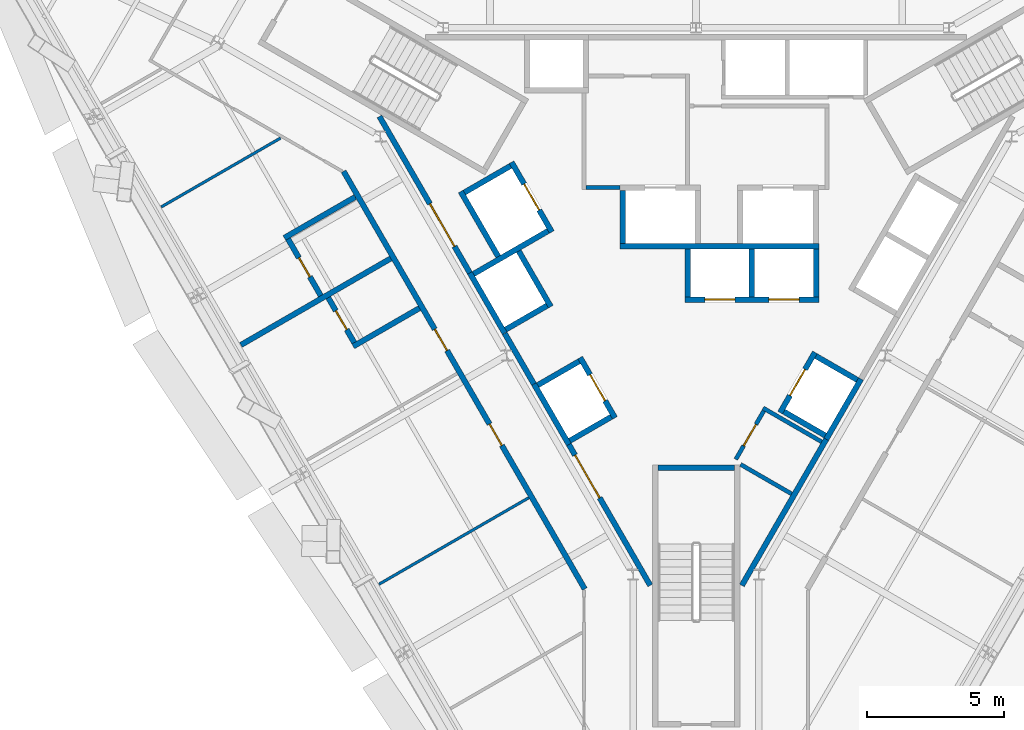
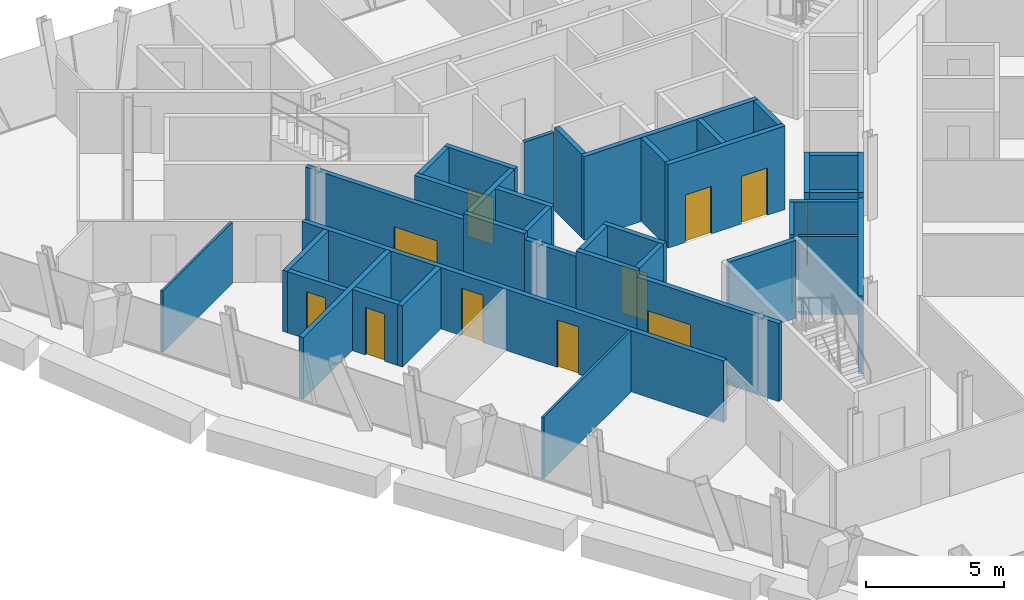
# One storey, part 6 of 11: 38 walls, 12 doors, 12 openings.
"""IFC4 building model written with IfcOpenShell, lengths in metres."""

from ifc_helpers import new_model, si_unit, direction, frame, frame_2d, origin, place, context, subcontext, project, spatial, rectangle, extrude, material, layer, layer_set, type_object, element, fill, save


model = new_model("IFC4")

# Units and contexts
model_context = context("Model", 3, precision=1e-05, world=origin(), true_north=direction((0.0, 1.0)))
body_context = subcontext(model_context, "Body", "Model", "MODEL_VIEW")
ifc_project = project(units=[si_unit("LENGTHUNIT", "METRE"), si_unit("AREAUNIT", "SQUARE_METRE"), si_unit("VOLUMEUNIT", "CUBIC_METRE"), si_unit("PLANEANGLEUNIT", "RADIAN"), si_unit("MASSUNIT", "GRAM", prefix="KILO")], contexts=[model_context])

# Site, building, storey
site_placement = place(None, origin())
site = spatial("IfcSite", under=ifc_project, at=site_placement, CompositionType="ELEMENT")
building_placement = place(site_placement, origin())
building = spatial("IfcBuilding", under=site, at=building_placement, Name="Verrane Prism Tower", CompositionType="ELEMENT")
storey_placement = place(building_placement, frame((0.0, 0.0, 156.199951171875)))
storey = spatial("IfcBuildingStorey", under=building, at=storey_placement, Name="L38", CompositionType="ELEMENT", Elevation=156.199951171875)

# Wall, opening, door
ifc_material_1 = material(Name="Gypsum board partition", Category="other")
ifc_layer_1 = layer(ifc_material_1, 0.199951171875)
ifc_layer_set_1 = layer_set([ifc_layer_1], Name="CW-200 core boundary wall 2 h")
wall_type_1 = type_object("IfcWallType", Name="CW-200 core boundary wall 2 h", PredefinedType="PARTITIONING", material=ifc_layer_set_1)
wall_1_placement = place(storey_placement, frame((-11.590576171875, 4.7548828125, 0.0), z_axis=(0.0, 0.0, 1.0), x_axis=(0.500043977787, -0.866000011708, 0.0)))
wall_1 = element("IfcWall", 1, at=wall_1_placement, inside=storey, type_object=wall_type_1, Name="Core boundary wall CW3-001", PredefinedType="PARTITIONING", context=body_context, shape_type="SweptSolid", body=[
    extrude(rectangle(XDim=6.61669921875, YDim=0.199951171875, at=frame_2d((3.308349609375, 0.0))), origin(), (0.0, 0.0, 1.0), 3.449951171875),
])
opening_1_placement = place(wall_1_placement, frame((3.695068359375, 0.0, 0.0)))
opening_1 = element("IfcOpeningElement", 2, at=opening_1_placement, cuts=wall_1, Name="Opening D36510", PredefinedType="OPENING", context=body_context, shape_type="SweptSolid", body=[
    extrude(rectangle(XDim=1.800048828125, YDim=2.10009765625, at=frame_2d((0.89990234375, 1.050048828125))), frame((0.0, 0.10986328125, 0.0), z_axis=(0.0, -1.0, 0.0), x_axis=(1.0, 0.0, 0.0)), (0.0, 0.0, 1.0), 0.219970703125),
])
ifc_material_2 = material(Name="Timber veneered door leaf", Category="wood")
door_type_1 = type_object("IfcDoorType", Name="DR-1800x2100 FD60 double leaf lift lobby", OperationType="NOTDEFINED", PredefinedType="DOOR", material=ifc_material_2)
door_1_placement = place(opening_1_placement, origin())
door_1 = element("IfcDoor", 3, at=door_1_placement, inside=storey, type_object=door_type_1, Name="Lift lobby door D36510", OperationType="DOUBLE_DOOR_SINGLE_SWING", OverallHeight=2.10009765625, OverallWidth=1.800048828125, PredefinedType="DOOR", context=body_context, shape_type="SweptSolid", body=[
    extrude(rectangle(XDim=1.800048828125, YDim=2.10009765625, at=frame_2d((0.89990234375, 1.050048828125))), frame((0.0, 0.02490234375, 0.0), z_axis=(0.0, -1.0, 0.0), x_axis=(1.0, 0.0, 0.0)), (0.0, 0.0, 1.0), 0.050048828125),
])
fill(opening_1, door_1)

# Wall
wall_2_placement = place(storey_placement, frame((-7.0048828125, -3.18701171875, 0.0), z_axis=(0.0, 0.0, 1.0), x_axis=(0.499689606989, -0.866204535123, 0.0)))
element("IfcWall", 4, at=wall_2_placement, inside=storey, type_object=wall_type_1, Name="Core boundary wall CW3-003", PredefinedType="PARTITIONING", context=body_context, shape_type="SweptSolid", body=[
    extrude(rectangle(XDim=2.144775390625, YDim=0.199951171875, at=frame_2d((1.072265625, 0.0))), origin(), (0.0, 0.0, 1.0), 3.449951171875),
])

# Wall, opening, door
wall_3_placement = place(storey_placement, frame((-4.655029296875, -7.257080078125, 0.0), z_axis=(0.0, 0.0, 1.0), x_axis=(0.499966124405, -0.866044960985, 0.0)))
wall_3 = element("IfcWall", 5, at=wall_3_placement, inside=storey, type_object=wall_type_1, Name="Core boundary wall CW3-004", PredefinedType="PARTITIONING", context=body_context, shape_type="SweptSolid", body=[
    extrude(rectangle(XDim=5.95556640625, YDim=0.199951171875, at=frame_2d((2.977783203125, 0.0))), origin(), (0.0, 0.0, 1.0), 3.449951171875),
])
opening_2_placement = place(wall_3_placement, frame((0.449951171875, 0.0, 0.0)))
opening_2 = element("IfcOpeningElement", 6, at=opening_2_placement, cuts=wall_3, Name="Opening D36511", PredefinedType="OPENING", context=body_context, shape_type="SweptSolid", body=[
    extrude(rectangle(XDim=1.800048828125, YDim=2.10009765625, at=frame_2d((0.89990234375, 1.050048828125))), frame((0.0, 0.10986328125, 0.0), z_axis=(0.0, -1.0, 0.0), x_axis=(1.0, 0.0, 0.0)), (0.0, 0.0, 1.0), 0.219970703125),
])
door_2_placement = place(opening_2_placement, origin())
door_2 = element("IfcDoor", 7, at=door_2_placement, inside=storey, type_object=door_type_1, Name="Lift lobby door D36511", OperationType="DOUBLE_DOOR_SINGLE_SWING", OverallHeight=2.10009765625, OverallWidth=1.800048828125, PredefinedType="DOOR", context=body_context, shape_type="SweptSolid", body=[
    extrude(rectangle(XDim=1.800048828125, YDim=2.10009765625, at=frame_2d((0.89990234375, 1.050048828125))), frame((0.0, 0.02490234375, 0.0), z_axis=(0.0, -1.0, 0.0), x_axis=(1.0, 0.0, 0.0)), (0.0, 0.0, 1.0), 0.050048828125),
])
fill(opening_2, door_2)

# Walls
wall_4_placement = place(storey_placement, frame((1.677490234375, -12.414794921875, 0.0), z_axis=(0.0, 0.0, 1.0), x_axis=(0.500054337157, 0.865994029939, 0.0)))
element("IfcWall", 8, at=wall_4_placement, inside=storey, type_object=wall_type_1, Name="Core boundary wall CW3-006", PredefinedType="PARTITIONING", context=body_context, shape_type="SweptSolid", body=[
    extrude(rectangle(XDim=6.176513671875, YDim=0.199951171875, at=frame_2d((3.08837890625, 0.0))), origin(), (0.0, 0.0, 1.0), 3.449951171875),
])
ifc_material_3 = material(Name="Concrete C40/50", Category="concrete")
ifc_layer_2 = layer(ifc_material_3, 0.199951171875)
ifc_layer_set_2 = layer_set([ifc_layer_2], Name="CW-200 stair core wall concrete C40/50 3 h")
wall_type_2 = type_object("IfcWallType", Name="CW-200 stair core wall concrete C40/50 3 h", PredefinedType="PARTITIONING", material=ifc_layer_set_2)
wall_5_placement = place(storey_placement, frame((-1.39990234375, -8.10009765625, 0.0), z_axis=(0.0, 0.0, 1.0), x_axis=(1.0, 0.0, 0.0)))
element("IfcWall", 9, at=wall_5_placement, inside=storey, type_object=wall_type_2, Name="Stair 3 enclosure wall", PredefinedType="PARTITIONING", context=body_context, shape_type="SweptSolid", body=[
    extrude(rectangle(XDim=2.7998046875, YDim=0.199951171875, at=frame_2d((1.39990234375, 0.0))), origin(), (0.0, 0.0, 1.0), 3.449951171875),
])

# Wall, openings, doors
ifc_material_4 = material(Name="Gypsum board shaft wall assembly", Category="other")
ifc_layer_3 = layer(ifc_material_4, 0.199951171875)
ifc_layer_set_3 = layer_set([ifc_layer_3], Name="HW-200 lift shaft wall 2 h")
wall_type_3 = type_object("IfcWallType", Name="HW-200 lift shaft wall 2 h", PredefinedType="PARTITIONING", material=ifc_layer_set_3)
wall_6_placement = place(storey_placement, frame((-0.405029296875, -1.949951171875, 0.0), z_axis=(0.0, 0.0, 1.0), x_axis=(1.0, 0.0, 0.0)))
wall_6 = element("IfcWall", 10, at=wall_6_placement, inside=storey, type_object=wall_type_3, Name="Lift shaft wall", PredefinedType="PARTITIONING", context=body_context, shape_type="SweptSolid", body=[
    extrude(rectangle(XDim=4.900146484375, YDim=0.199951171875, at=frame_2d((2.4501953125, 0.0))), origin(), (0.0, 0.0, 1.0), 3.699951171875),
])
opening_3_placement = place(wall_6_placement, frame((0.72509765625, 0.0, 0.0)))
opening_3 = element("IfcOpeningElement", 11, at=opening_3_placement, cuts=wall_6, Name="Opening D36503", PredefinedType="OPENING", context=body_context, shape_type="SweptSolid", body=[
    extrude(rectangle(XDim=1.10009765625, YDim=2.10009765625, at=frame_2d((0.550048828125, 1.050048828125))), frame((0.0, 0.10986328125, 0.0), z_axis=(0.0, -1.0, 0.0), x_axis=(1.0, 0.0, 0.0)), (0.0, 0.0, 1.0), 0.219970703125),
])
opening_4_placement = place(wall_6_placement, frame((3.074951171875, 0.0, 0.0)))
opening_4 = element("IfcOpeningElement", 12, at=opening_4_placement, cuts=wall_6, Name="Opening D36504", PredefinedType="OPENING", context=body_context, shape_type="SweptSolid", body=[
    extrude(rectangle(XDim=1.10009765625, YDim=2.10009765625, at=frame_2d((0.550048828125, 1.050048828125))), frame((0.0, 0.10986328125, 0.0), z_axis=(0.0, -1.0, 0.0), x_axis=(1.0, 0.0, 0.0)), (0.0, 0.0, 1.0), 0.219970703125),
])
ifc_material_5 = material(Name="Stainless steel sliding landing door", Category="steel")
door_type_2 = type_object("IfcDoorType", Name="LD-1100x2100 lift landing door FD90 sliding", OperationType="NOTDEFINED", PredefinedType="DOOR", material=ifc_material_5)
door_3_placement = place(opening_3_placement, origin())
door_3 = element("IfcDoor", 13, at=door_3_placement, inside=storey, type_object=door_type_2, Name="Bank B lift 1 landing door", OperationType="SLIDING_TO_LEFT", OverallHeight=2.10009765625, OverallWidth=1.10009765625, PredefinedType="DOOR", context=body_context, shape_type="SweptSolid", body=[
    extrude(rectangle(XDim=1.10009765625, YDim=2.10009765625, at=frame_2d((0.550048828125, 1.050048828125))), frame((0.0, 0.02490234375, 0.0), z_axis=(0.0, -1.0, 0.0), x_axis=(1.0, 0.0, 0.0)), (0.0, 0.0, 1.0), 0.050048828125),
])
fill(opening_3, door_3)
door_4_placement = place(opening_4_placement, origin())
door_4 = element("IfcDoor", 14, at=door_4_placement, inside=storey, type_object=door_type_2, Name="Bank B lift 2 landing door", OperationType="SLIDING_TO_RIGHT", OverallHeight=2.10009765625, OverallWidth=1.10009765625, PredefinedType="DOOR", context=body_context, shape_type="SweptSolid", body=[
    extrude(rectangle(XDim=1.10009765625, YDim=2.10009765625, at=frame_2d((0.550048828125, 1.050048828125))), frame((0.0, 0.02490234375, 0.0), z_axis=(0.0, -1.0, 0.0), x_axis=(1.0, 0.0, 0.0)), (0.0, 0.0, 1.0), 0.050048828125),
])
fill(opening_4, door_4)

# Walls
wall_7_placement = place(storey_placement, frame((-2.784912109375, 0.0, 0.0), z_axis=(0.0, 0.0, 1.0), x_axis=(1.0, 0.0, 0.0)))
element("IfcWall", 15, at=wall_7_placement, inside=storey, type_object=wall_type_3, Name="Lift shaft wall", PredefinedType="PARTITIONING", context=body_context, shape_type="SweptSolid", body=[
    extrude(rectangle(XDim=7.280029296875, YDim=0.199951171875, at=frame_2d((3.64013671875, 0.0))), origin(), (0.0, 0.0, 1.0), 3.699951171875),
])
for number, where, z_axis, x_axis, name in (
    (16, (-4.61962890625, -7.118408203125, 0.0), (0.0, 0.0, 1.0), (0.866036909293, 0.499980071345, 0.0), "Lift shaft wall"),
    (17, (-5.794677734375, -5.083251953125, 0.0), (0.0, 0.0, 1.0), (0.866036909293, 0.499980071345, 0.0), "Lift shaft wall"),
    (18, (-6.9697265625, -3.048095703125, 0.0), (0.0, 0.0, 1.0), (0.866036909293, 0.499980071345, 0.0), "Lift shaft wall"),
):
    element("IfcWall", number, at=place(storey_placement, frame(where, z_axis=z_axis, x_axis=x_axis)), inside=storey, type_object=wall_type_3, Name=name, PredefinedType="PARTITIONING", context=body_context, shape_type="SweptSolid", body=[
        extrude(rectangle(XDim=1.75, YDim=0.199951171875, at=frame_2d((0.875, 0.0))), origin(), (0.0, 0.0, 1.0), 3.699951171875),
    ])
wall_8_placement = place(storey_placement, frame((-8.14453125, -1.012939453125, 0.0), z_axis=(0.0, 0.0, 1.0), x_axis=(0.866016494683, 0.500015430699, 0.0)))
element("IfcWall", 19, at=wall_8_placement, inside=storey, type_object=wall_type_3, Name="Lift shaft wall", PredefinedType="PARTITIONING", context=body_context, shape_type="SweptSolid", body=[
    extrude(rectangle(XDim=3.14990234375, YDim=0.199951171875, at=frame_2d((1.574951171875, 0.0))), origin(), (0.0, 0.0, 1.0), 3.699951171875),
])
wall_9_placement = place(storey_placement, frame((-8.48046875, 1.968505859375, 0.0), z_axis=(0.0, 0.0, 1.0), x_axis=(0.866000020948, 0.500043961785, 0.0)))
element("IfcWall", 20, at=wall_9_placement, inside=storey, type_object=wall_type_3, Name="Lift shaft wall", PredefinedType="PARTITIONING", context=body_context, shape_type="SweptSolid", body=[
    extrude(rectangle(XDim=1.949951171875, YDim=0.199951171875, at=frame_2d((0.97509765625, 0.0))), origin(), (0.0, 0.0, 1.0), 3.699951171875),
])
wall_10_placement = place(storey_placement, frame((4.766357421875, -7.064697265625, 0.0), z_axis=(0.0, 0.0, 1.0), x_axis=(0.499948979701, 0.866054858364, 0.0)))
element("IfcWall", 21, at=wall_10_placement, inside=storey, type_object=wall_type_3, Name="Lift shaft wall", PredefinedType="PARTITIONING", context=body_context, shape_type="SweptSolid", body=[
    extrude(rectangle(XDim=2.550048828125, YDim=0.199951171875, at=frame_2d((1.27490234375, 0.0))), origin(), (0.0, 0.0, 1.0), 3.699951171875),
])

# Wall, opening, door
wall_11_placement = place(storey_placement, frame((3.077392578125, -6.089599609375, 0.0), z_axis=(0.0, 0.0, 1.0), x_axis=(0.500062241894, 0.865989465428, 0.0)))
wall_11 = element("IfcWall", 22, at=wall_11_placement, inside=storey, type_object=wall_type_3, Name="Lift shaft wall", PredefinedType="PARTITIONING", context=body_context, shape_type="SweptSolid", body=[
    extrude(rectangle(XDim=2.550048828125, YDim=0.199951171875, at=frame_2d((1.27490234375, 0.0))), origin(), (0.0, 0.0, 1.0), 3.699951171875),
])
opening_5_placement = place(wall_11_placement, frame((0.72509765625, 0.0, 0.0)))
opening_5 = element("IfcOpeningElement", 23, at=opening_5_placement, cuts=wall_11, Name="Opening D36505", PredefinedType="OPENING", context=body_context, shape_type="SweptSolid", body=[
    extrude(rectangle(XDim=1.10009765625, YDim=2.10009765625, at=frame_2d((0.550048828125, 1.050048828125))), frame((0.0, 0.10986328125, 0.0), z_axis=(0.0, -1.0, 0.0), x_axis=(1.0, 0.0, 0.0)), (0.0, 0.0, 1.0), 0.219970703125),
])
door_5_placement = place(opening_5_placement, origin())
door_5 = element("IfcDoor", 24, at=door_5_placement, inside=storey, type_object=door_type_2, Name="Bank B lift 3 landing door", OperationType="SLIDING_TO_LEFT", OverallHeight=2.10009765625, OverallWidth=1.10009765625, PredefinedType="DOOR", context=body_context, shape_type="SweptSolid", body=[
    extrude(rectangle(XDim=1.10009765625, YDim=2.10009765625, at=frame_2d((0.550048828125, 1.050048828125))), frame((0.0, 0.02490234375, 0.0), z_axis=(0.0, -1.0, 0.0), x_axis=(1.0, 0.0, 0.0)), (0.0, 0.0, 1.0), 0.050048828125),
])
fill(opening_5, door_5)

# Walls
for number, where, z_axis, x_axis, name in (
    (25, (4.39501953125, -1.85009765625, 0.0), (0.0, 0.0, 1.0), (0.0, 1.0, 0.0), "Lift shaft wall"),
    (26, (2.044921875, -1.85009765625, 0.0), (0.0, 0.0, 1.0), (0.0, 1.0, 0.0), "Lift shaft wall"),
    (27, (-0.304931640625, -1.85009765625, 0.0), (0.0, 0.0, 1.0), (0.0, 1.0, 0.0), "Lift shaft wall"),
):
    element("IfcWall", number, at=place(storey_placement, frame(where, z_axis=z_axis, x_axis=x_axis)), inside=storey, type_object=wall_type_3, Name=name, PredefinedType="PARTITIONING", context=body_context, shape_type="SweptSolid", body=[
        extrude(rectangle(XDim=1.75, YDim=0.199951171875, at=frame_2d((0.875, 0.0))), origin(), (0.0, 0.0, 1.0), 3.699951171875),
    ])
wall_12_placement = place(storey_placement, frame((-2.68505859375, 0.10009765625, 0.0), z_axis=(0.0, 0.0, 1.0), x_axis=(0.0, 1.0, 0.0)))
element("IfcWall", 28, at=wall_12_placement, inside=storey, type_object=wall_type_3, Name="Lift shaft wall", PredefinedType="PARTITIONING", context=body_context, shape_type="SweptSolid", body=[
    extrude(rectangle(XDim=1.949951171875, YDim=0.199951171875, at=frame_2d((0.97509765625, 0.0))), origin(), (0.0, 0.0, 1.0), 3.699951171875),
])

# Wall, opening, door
wall_13_placement = place(storey_placement, frame((-5.280029296875, 0.525390625, 0.0), z_axis=(0.0, 0.0, 1.0), x_axis=(-0.500037662692, 0.866003658127, 0.0)))
wall_13 = element("IfcWall", 29, at=wall_13_placement, inside=storey, type_object=wall_type_3, Name="Lift shaft wall", PredefinedType="PARTITIONING", context=body_context, shape_type="SweptSolid", body=[
    extrude(rectangle(XDim=2.949951171875, YDim=0.199951171875, at=frame_2d((1.47509765625, 0.0))), origin(), (0.0, 0.0, 1.0), 3.699951171875),
])
opening_6_placement = place(wall_13_placement, frame((0.925048828125, 0.0, 0.0)))
opening_6 = element("IfcOpeningElement", 30, at=opening_6_placement, cuts=wall_13, Name="Opening D36509", PredefinedType="OPENING", context=body_context, shape_type="SweptSolid", body=[
    extrude(rectangle(XDim=1.10009765625, YDim=2.10009765625, at=frame_2d((0.550048828125, 1.050048828125))), frame((0.0, 0.10986328125, 0.0), z_axis=(0.0, -1.0, 0.0), x_axis=(1.0, 0.0, 0.0)), (0.0, 0.0, 1.0), 0.219970703125),
])
door_6_placement = place(opening_6_placement, origin())
door_6 = element("IfcDoor", 31, at=door_6_placement, inside=storey, type_object=door_type_2, Name="Service lift 1 landing door", OperationType="SLIDING_TO_LEFT", OverallHeight=2.10009765625, OverallWidth=1.10009765625, PredefinedType="DOOR", context=body_context, shape_type="SweptSolid", body=[
    extrude(rectangle(XDim=1.10009765625, YDim=2.10009765625, at=frame_2d((0.550048828125, 1.050048828125))), frame((0.0, 0.02490234375, 0.0), z_axis=(0.0, -1.0, 0.0), x_axis=(1.0, 0.0, 0.0)), (0.0, 0.0, 1.0), 0.050048828125),
])
fill(opening_6, door_6)

wall_14_placement = place(storey_placement, frame((-2.967529296875, -6.280029296875, 0.0), z_axis=(0.0, 0.0, 1.0), x_axis=(-0.499990435942, 0.866030925526, 0.0)))
wall_14 = element("IfcWall", 32, at=wall_14_placement, inside=storey, type_object=wall_type_3, Name="Lift shaft wall", PredefinedType="PARTITIONING", context=body_context, shape_type="SweptSolid", body=[
    extrude(rectangle(XDim=2.5498046875, YDim=0.199951171875, at=frame_2d((1.27490234375, 0.0))), origin(), (0.0, 0.0, 1.0), 3.699951171875),
])
opening_7_placement = place(wall_14_placement, frame((0.72509765625, 0.0, 0.0)))
opening_7 = element("IfcOpeningElement", 33, at=opening_7_placement, cuts=wall_14, Name="Opening D36506", PredefinedType="OPENING", context=body_context, shape_type="SweptSolid", body=[
    extrude(rectangle(XDim=1.10009765625, YDim=2.10009765625, at=frame_2d((0.550048828125, 1.050048828125))), frame((0.0, 0.10986328125, 0.0), z_axis=(0.0, -1.0, 0.0), x_axis=(1.0, 0.0, 0.0)), (0.0, 0.0, 1.0), 0.219970703125),
])
door_7_placement = place(opening_7_placement, origin())
door_7 = element("IfcDoor", 34, at=door_7_placement, inside=storey, type_object=door_type_2, Name="Bank B lift 4 landing door", OperationType="SLIDING_TO_RIGHT", OverallHeight=2.10009765625, OverallWidth=1.10009765625, PredefinedType="DOOR", context=body_context, shape_type="SweptSolid", body=[
    extrude(rectangle(XDim=1.10009765625, YDim=2.10009765625, at=frame_2d((0.550048828125, 1.050048828125))), frame((0.0, 0.02490234375, 0.0), z_axis=(0.0, -1.0, 0.0), x_axis=(1.0, 0.0, 0.0)), (0.0, 0.0, 1.0), 0.050048828125),
])
fill(opening_7, door_7)

# Walls
wall_15_placement = place(storey_placement, frame((-5.317626953125, -2.209716796875, 0.0), z_axis=(0.0, 0.0, 1.0), x_axis=(-0.499938297808, 0.866061024631, 0.0)))
element("IfcWall", 35, at=wall_15_placement, inside=storey, type_object=wall_type_3, Name="Lift shaft wall", PredefinedType="PARTITIONING", context=body_context, shape_type="SweptSolid", body=[
    extrude(rectangle(XDim=2.349853515625, YDim=0.199951171875, at=frame_2d((1.1748046875, 0.0))), origin(), (0.0, 0.0, 1.0), 3.699951171875),
])
wall_16_placement = place(storey_placement, frame((-7.241943359375, -0.37646484375, 0.0), z_axis=(0.0, 0.0, 1.0), x_axis=(-0.499996545922, 0.866027397988, 0.0)))
element("IfcWall", 36, at=wall_16_placement, inside=storey, type_object=wall_type_3, Name="Lift shaft wall", PredefinedType="PARTITIONING", context=body_context, shape_type="SweptSolid", body=[
    extrude(rectangle(XDim=2.75, YDim=0.199951171875, at=frame_2d((1.375, 0.0))), origin(), (0.0, 0.0, 1.0), 3.699951171875),
])
for number, where, z_axis, x_axis, name in (
    (37, (-4.65625, -7.255126953125, 0.0), (0.0, 0.0, 1.0), (-0.499990435942, 0.866030925526, 0.0), "Lift shaft wall"),
    (38, (-7.00634765625, -3.184814453125, 0.0), (0.0, 0.0, 1.0), (-0.499990435942, 0.866030925526, 0.0), "Lift shaft wall"),
):
    element("IfcWall", number, at=place(storey_placement, frame(where, z_axis=z_axis, x_axis=x_axis)), inside=storey, type_object=wall_type_3, Name=name, PredefinedType="PARTITIONING", context=body_context, shape_type="SweptSolid", body=[
        extrude(rectangle(XDim=2.5498046875, YDim=0.199951171875, at=frame_2d((1.27490234375, 0.0))), origin(), (0.0, 0.0, 1.0), 3.699951171875),
    ])
wall_17_placement = place(storey_placement, frame((5.904541015625, -4.892822265625, 0.0), z_axis=(0.0, 0.0, 1.0), x_axis=(-0.866002029911, 0.500040482552, 0.0)))
element("IfcWall", 39, at=wall_17_placement, inside=storey, type_object=wall_type_3, Name="Lift shaft wall", PredefinedType="PARTITIONING", context=body_context, shape_type="SweptSolid", body=[
    extrude(rectangle(XDim=1.749755859375, YDim=0.199951171875, at=frame_2d((0.875, 0.0))), origin(), (0.0, 0.0, 1.0), 3.699951171875),
])
wall_18_placement = place(storey_placement, frame((4.729736328125, -6.927978515625, 0.0), z_axis=(0.0, 0.0, 1.0), x_axis=(-0.866036909293, 0.499980071345, 0.0)))
element("IfcWall", 40, at=wall_18_placement, inside=storey, type_object=wall_type_3, Name="Lift shaft wall", PredefinedType="PARTITIONING", context=body_context, shape_type="SweptSolid", body=[
    extrude(rectangle(XDim=1.75, YDim=0.199951171875, at=frame_2d((0.875, 0.0))), origin(), (0.0, 0.0, 1.0), 3.699951171875),
])
ifc_material_6 = material(Name="Gypsum board partition", Category="other")
ifc_layer_4 = layer(ifc_material_6, 0.14990234375)
ifc_layer_set_4 = layer_set([ifc_layer_4], Name="LF-150 firefighting lobby wall 1 h")
wall_type_4 = type_object("IfcWallType", Name="LF-150 firefighting lobby wall 1 h", PredefinedType="PARTITIONING", material=ifc_layer_set_4)
wall_19_placement = place(storey_placement, frame((-4.02490234375, 2.159912109375, 0.0), z_axis=(0.0, 0.0, 1.0), x_axis=(1.0, 0.0, 0.0)))
element("IfcWall", 41, at=wall_19_placement, inside=storey, type_object=wall_type_4, Name="Firefighting lobby wall LF1-002", PredefinedType="PARTITIONING", context=body_context, shape_type="SweptSolid", body=[
    extrude(rectangle(XDim=1.23779296875, YDim=0.14990234375, at=frame_2d((0.618896484375, 0.0))), origin(), (0.0, 0.0, 1.0), 3.449951171875),
])
ifc_material_7 = material(Name="Gypsum board partition", Category="other")
ifc_layer_5 = layer(ifc_material_7, 0.10009765625)
ifc_layer_set_5 = layer_set([ifc_layer_5], Name="PW-100 room partition")
wall_type_5 = type_object("IfcWallType", Name="PW-100 room partition", PredefinedType="PARTITIONING", material=ifc_layer_set_5)
wall_20_placement = place(storey_placement, frame((-19.578857421875, 1.44091796875, 0.0), z_axis=(0.0, 0.0, 1.0), x_axis=(0.866033235887, 0.499986434155, 0.0)))
element("IfcWall", 42, at=wall_20_placement, inside=storey, type_object=wall_type_5, Name="Room partition 004", PredefinedType="PARTITIONING", context=body_context, shape_type="SweptSolid", body=[
    extrude(rectangle(XDim=5.043701171875, YDim=0.10009765625, at=frame_2d((2.52197265625, 0.0))), origin(), (0.0, 0.0, 1.0), 2.713134765625),
])
wall_21_placement = place(storey_placement, frame((-11.60498046875, -12.3701171875, 0.0), z_axis=(0.0, 0.0, 1.0), x_axis=(0.866017278078, 0.500014073873, 0.0)))
element("IfcWall", 43, at=wall_21_placement, inside=storey, type_object=wall_type_5, Name="Room partition 016", PredefinedType="PARTITIONING", context=body_context, shape_type="SweptSolid", body=[
    extrude(rectangle(XDim=6.328857421875, YDim=0.10009765625, at=frame_2d((3.16455078125, 0.0))), origin(), (0.0, 0.0, 1.0), 2.713134765625),
])
ifc_material_8 = material(Name="Gypsum board partition", Category="other")
ifc_layer_6 = layer(ifc_material_8, 0.199951171875)
ifc_layer_set_6 = layer_set([ifc_layer_6], Name="PW-200 plumbing wall")
wall_type_6 = type_object("IfcWallType", Name="PW-200 plumbing wall", PredefinedType="PARTITIONING", material=ifc_layer_set_6)
wall_22_placement = place(storey_placement, frame((-16.66162109375, -3.61181640625, 0.0), z_axis=(0.0, 0.0, 1.0), x_axis=(0.866030886774, 0.499990503064, 0.0)))
element("IfcWall", 44, at=wall_22_placement, inside=storey, type_object=wall_type_6, Name="Plumbing wall 005", PredefinedType="PARTITIONING", context=body_context, shape_type="SweptSolid", body=[
    extrude(rectangle(XDim=6.33349609375, YDim=0.199951171875, at=frame_2d((3.166748046875, 0.0))), origin(), (0.0, 0.0, 1.0), 2.713134765625),
])

# Wall, opening, door
wall_23_placement = place(storey_placement, frame((-14.93798828125, 0.2705078125, 0.0), z_axis=(0.0, 0.0, 1.0), x_axis=(0.499913221443, -0.866075499611, 0.0)))
wall_23 = element("IfcWall", 45, at=wall_23_placement, inside=storey, type_object=wall_type_6, Name="Plumbing wall 008", PredefinedType="PARTITIONING", context=body_context, shape_type="SweptSolid", body=[
    extrude(rectangle(XDim=2.400390625, YDim=0.199951171875, at=frame_2d((1.2001953125, 0.0))), origin(), (0.0, 0.0, 1.0), 2.713134765625),
])
opening_8_placement = place(wall_23_placement, frame((0.800048828125, 0.0, 0.0)))
opening_8 = element("IfcOpeningElement", 46, at=opening_8_placement, cuts=wall_23, Name="Opening D36023", PredefinedType="OPENING", context=body_context, shape_type="SweptSolid", body=[
    extrude(rectangle(XDim=0.800048828125, YDim=2.10009765625, at=frame_2d((0.39990234375, 1.050048828125))), frame((0.0, 0.10986328125, 0.0), z_axis=(0.0, -1.0, 0.0), x_axis=(1.0, 0.0, 0.0)), (0.0, 0.0, 1.0), 0.219970703125),
])
ifc_material_9 = material(Name="Timber veneered door leaf", Category="wood")
door_type_3 = type_object("IfcDoorType", Name="DR-800x2100 single leaf bath", OperationType="NOTDEFINED", PredefinedType="DOOR", material=ifc_material_9)
door_8_placement = place(opening_8_placement, origin())
door_8 = element("IfcDoor", 47, at=door_8_placement, inside=storey, type_object=door_type_3, Name="Master Bathroom door", OperationType="SINGLE_SWING_LEFT", OverallHeight=2.10009765625, OverallWidth=0.800048828125, PredefinedType="DOOR", context=body_context, shape_type="SweptSolid", body=[
    extrude(rectangle(XDim=0.800048828125, YDim=2.10009765625, at=frame_2d((0.39990234375, 1.050048828125))), frame((0.0, 0.02490234375, 0.0), z_axis=(0.0, -1.0, 0.0), x_axis=(1.0, 0.0, 0.0)), (0.0, 0.0, 1.0), 0.050048828125),
])
fill(opening_8, door_8)

# Wall
wall_24_placement = place(storey_placement, frame((-15.07470703125, 0.30712890625, 0.0), z_axis=(0.0, 0.0, 1.0), x_axis=(0.866134024916, 0.499811815469, 0.0)))
element("IfcWall", 48, at=wall_24_placement, inside=storey, type_object=wall_type_6, Name="Plumbing wall 009", PredefinedType="PARTITIONING", context=body_context, shape_type="SweptSolid", body=[
    extrude(rectangle(XDim=2.995849609375, YDim=0.199951171875, at=frame_2d((1.498046875, 0.0))), origin(), (0.0, 0.0, 1.0), 2.713134765625),
])

# Wall, opening, door
wall_25_placement = place(storey_placement, frame((-13.464111328125, -1.881591796875, 0.0), z_axis=(0.0, 0.0, 1.0), x_axis=(0.500007885066, -0.866020851292, 0.0)))
wall_25 = element("IfcWall", 49, at=wall_25_placement, inside=storey, type_object=wall_type_6, Name="Plumbing wall 011", PredefinedType="PARTITIONING", context=body_context, shape_type="SweptSolid", body=[
    extrude(rectangle(XDim=1.900390625, YDim=0.199951171875, at=frame_2d((0.9501953125, 0.0))), origin(), (0.0, 0.0, 1.0), 2.713134765625),
])
opening_9_placement = place(wall_25_placement, frame((0.550048828125, 0.0, 0.0)))
opening_9 = element("IfcOpeningElement", 50, at=opening_9_placement, cuts=wall_25, Name="Opening D36025", PredefinedType="OPENING", context=body_context, shape_type="SweptSolid", body=[
    extrude(rectangle(XDim=0.800048828125, YDim=2.10009765625, at=frame_2d((0.39990234375, 1.050048828125))), frame((0.0, 0.10986328125, 0.0), z_axis=(0.0, -1.0, 0.0), x_axis=(1.0, 0.0, 0.0)), (0.0, 0.0, 1.0), 0.219970703125),
])
door_9_placement = place(opening_9_placement, origin())
door_9 = element("IfcDoor", 51, at=door_9_placement, inside=storey, type_object=door_type_3, Name="Bathroom door", OperationType="SINGLE_SWING_LEFT", OverallHeight=2.10009765625, OverallWidth=0.800048828125, PredefinedType="DOOR", context=body_context, shape_type="SweptSolid", body=[
    extrude(rectangle(XDim=0.800048828125, YDim=2.10009765625, at=frame_2d((0.39990234375, 1.050048828125))), frame((0.0, 0.02490234375, 0.0), z_axis=(0.0, -1.0, 0.0), x_axis=(1.0, 0.0, 0.0)), (0.0, 0.0, 1.0), 0.050048828125),
])
fill(opening_9, door_9)

# Wall, openings, doors
wall_26_placement = place(storey_placement, frame((-4.074951171875, -12.54541015625, 0.0), z_axis=(0.0, 0.0, 1.0), x_axis=(-0.499999743747, 0.866025551732, 0.0)))
wall_26 = element("IfcWall", 52, at=wall_26_placement, inside=storey, type_object=wall_type_6, Name="Plumbing wall 012", PredefinedType="PARTITIONING", context=body_context, shape_type="SweptSolid", body=[
    extrude(rectangle(XDim=17.65625, YDim=0.199951171875, at=frame_2d((8.828125, 0.0))), origin(), (0.0, 0.0, 1.0), 2.713134765625),
])
opening_10_placement = place(wall_26_placement, frame((10.080078125, 0.0, 0.0)))
opening_10 = element("IfcOpeningElement", 53, at=opening_10_placement, cuts=wall_26, Name="Opening D36024", PredefinedType="OPENING", context=body_context, shape_type="SweptSolid", body=[
    extrude(rectangle(XDim=0.89990234375, YDim=2.10009765625, at=frame_2d((0.449951171875, 1.050048828125))), frame((0.0, 0.10986328125, 0.0), z_axis=(0.0, -1.0, 0.0), x_axis=(1.0, 0.0, 0.0)), (0.0, 0.0, 1.0), 0.219970703125),
])
opening_11_placement = place(wall_26_placement, frame((6.068115234375, 0.0, 0.0)))
opening_11 = element("IfcOpeningElement", 54, at=opening_11_placement, cuts=wall_26, Name="Opening D36026", PredefinedType="OPENING", context=body_context, shape_type="SweptSolid", body=[
    extrude(rectangle(XDim=0.89990234375, YDim=2.10009765625, at=frame_2d((0.449951171875, 1.050048828125))), frame((0.0, 0.10986328125, 0.0), z_axis=(0.0, -1.0, 0.0), x_axis=(1.0, 0.0, 0.0)), (0.0, 0.0, 1.0), 0.219970703125),
])
ifc_material_10 = material(Name="Timber veneered door leaf", Category="wood")
door_type_4 = type_object("IfcDoorType", Name="DR-900x2100 single leaf inner", OperationType="NOTDEFINED", PredefinedType="DOOR", material=ifc_material_10)
door_10_placement = place(opening_10_placement, origin())
door_10 = element("IfcDoor", 55, at=door_10_placement, inside=storey, type_object=door_type_4, Name="Bedroom door", OperationType="SINGLE_SWING_LEFT", OverallHeight=2.10009765625, OverallWidth=0.89990234375, PredefinedType="DOOR", context=body_context, shape_type="SweptSolid", body=[
    extrude(rectangle(XDim=0.89990234375, YDim=2.10009765625, at=frame_2d((0.449951171875, 1.050048828125))), frame((0.0, 0.02490234375, 0.0), z_axis=(0.0, -1.0, 0.0), x_axis=(1.0, 0.0, 0.0)), (0.0, 0.0, 1.0), 0.050048828125),
])
fill(opening_10, door_10)
ifc_material_11 = material(Name="Timber veneered door leaf", Category="wood")
door_type_5 = type_object("IfcDoorType", Name="DR-900x2100 single leaf unit", OperationType="NOTDEFINED", PredefinedType="DOOR", material=ifc_material_11)
door_11_placement = place(opening_11_placement, origin())
door_11 = element("IfcDoor", 56, at=door_11_placement, inside=storey, type_object=door_type_5, Name="Study door", OperationType="SINGLE_SWING_LEFT", OverallHeight=2.10009765625, OverallWidth=0.89990234375, PredefinedType="DOOR", context=body_context, shape_type="SweptSolid", body=[
    extrude(rectangle(XDim=0.89990234375, YDim=2.10009765625, at=frame_2d((0.449951171875, 1.050048828125))), frame((0.0, 0.02490234375, 0.0), z_axis=(0.0, -1.0, 0.0), x_axis=(1.0, 0.0, 0.0)), (0.0, 0.0, 1.0), 0.050048828125),
])
fill(opening_11, door_11)

# Wall
wall_27_placement = place(storey_placement, frame((-12.550537109375, -3.6640625, 0.0), z_axis=(0.0, 0.0, 1.0), x_axis=(0.865909567298, 0.500200581029, 0.0)))
element("IfcWall", 57, at=wall_27_placement, inside=storey, type_object=wall_type_6, Name="Plumbing wall 015", PredefinedType="PARTITIONING", context=body_context, shape_type="SweptSolid", body=[
    extrude(rectangle(XDim=2.799072265625, YDim=0.199951171875, at=frame_2d((1.3994140625, 0.0))), origin(), (0.0, 0.0, 1.0), 2.713134765625),
])

# Wall, opening, door
ifc_material_12 = material(Name="Gypsum board partition", Category="other")
ifc_layer_7 = layer(ifc_material_12, 0.14990234375)
ifc_layer_set_7 = layer_set([ifc_layer_7], Name="RS-150 riser enclosure wall 1 h")
wall_type_7 = type_object("IfcWallType", Name="RS-150 riser enclosure wall 1 h", PredefinedType="PARTITIONING", material=ifc_layer_set_7)
wall_28_placement = place(storey_placement, frame((2.4814453125, -6.02197265625, 0.0), z_axis=(0.0, 0.0, 1.0), x_axis=(-0.499801470403, -0.866139994564, 0.0)))
wall_28 = element("IfcWall", 58, at=wall_28_placement, inside=storey, type_object=wall_type_7, Name="Riser wall RS3-003", PredefinedType="PARTITIONING", context=body_context, shape_type="SweptSolid", body=[
    extrude(rectangle(XDim=2.050537109375, YDim=0.14990234375, at=frame_2d((1.025390625, 0.0))), origin(), (0.0, 0.0, 1.0), 3.449951171875),
])
opening_12_placement = place(wall_28_placement, frame((0.57568359375, 0.0, 0.0)))
opening_12 = element("IfcOpeningElement", 59, at=opening_12_placement, cuts=wall_28, Name="Opening D36516", PredefinedType="OPENING", context=body_context, shape_type="SweptSolid", body=[
    extrude(rectangle(XDim=0.89990234375, YDim=2.10009765625, at=frame_2d((0.449951171875, 1.050048828125))), frame((0.0, 0.0849609375, 0.0), z_axis=(0.0, -1.0, 0.0), x_axis=(1.0, 0.0, 0.0)), (0.0, 0.0, 1.0), 0.169921875),
])
ifc_material_13 = material(Name="Timber veneered door leaf", Category="wood")
door_type_6 = type_object("IfcDoorType", Name="DR-900x2100 FD20 single leaf store", OperationType="NOTDEFINED", PredefinedType="DOOR", material=ifc_material_13)
door_12_placement = place(opening_12_placement, origin())
door_12 = element("IfcDoor", 60, at=door_12_placement, inside=storey, type_object=door_type_6, Name="Room door D36516", OperationType="SINGLE_SWING_RIGHT", OverallHeight=2.10009765625, OverallWidth=0.89990234375, PredefinedType="DOOR", context=body_context, shape_type="SweptSolid", body=[
    extrude(rectangle(XDim=0.89990234375, YDim=2.10009765625, at=frame_2d((0.449951171875, 1.050048828125))), frame((0.0, 0.02490234375, 0.0), z_axis=(0.0, -1.0, 0.0), x_axis=(1.0, 0.0, 0.0)), (0.0, 0.0, 1.0), 0.050048828125),
])
fill(opening_12, door_12)

# Walls
wall_29_placement = place(storey_placement, frame((1.631103515625, -7.985595703125, 0.0), z_axis=(0.0, 0.0, 1.0), x_axis=(0.866038426532, -0.499977443261, 0.0)))
element("IfcWall", 61, at=wall_29_placement, inside=storey, type_object=wall_type_7, Name="Riser wall RS3-004", PredefinedType="PARTITIONING", context=body_context, shape_type="SweptSolid", body=[
    extrude(rectangle(XDim=2.15478515625, YDim=0.14990234375, at=frame_2d((1.077392578125, 0.0))), origin(), (0.0, 0.0, 1.0), 3.449951171875),
])
wall_30_placement = place(storey_placement, frame((2.4541015625, -5.91943359375, 0.0), z_axis=(0.0, 0.0, 1.0), x_axis=(0.866006523861, -0.500032699561, 0.0)))
element("IfcWall", 62, at=wall_30_placement, inside=storey, type_object=wall_type_7, Name="Riser wall RS3-005", PredefinedType="PARTITIONING", context=body_context, shape_type="SweptSolid", body=[
    extrude(rectangle(XDim=2.474853515625, YDim=0.14990234375, at=frame_2d((1.2373046875, 0.0))), origin(), (0.0, 0.0, 1.0), 3.449951171875),
])

save(model, "model.ifc")
